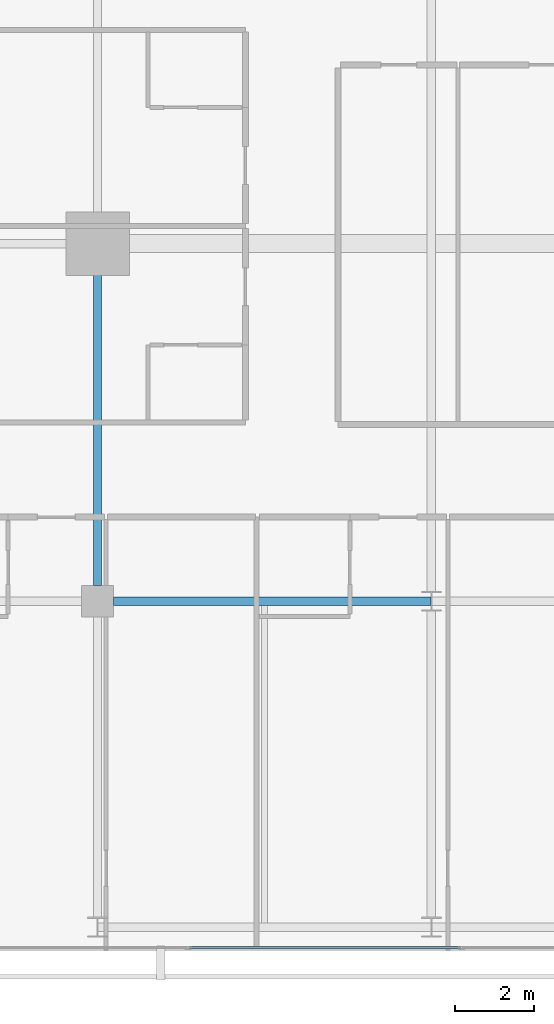
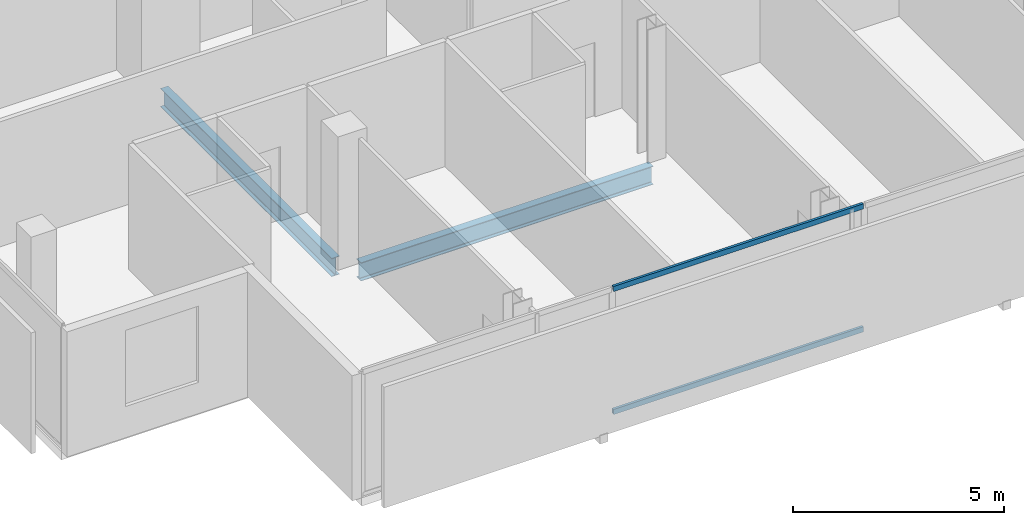
# One storey, part 5 of 26: 2 beams, 2 members, 1 element without a shape of its own.
"""IFC4 building model written with IfcOpenShell, lengths in metres."""

from ifc_helpers import new_model, si_unit, direction, frame, origin, origin_2d, place, context, subcontext, project, spatial, hollow_rectangle, i_section, extrude, material, layer, layer_set, material_profile, profile_set, type_object, element, aggregate, save


model = new_model("IFC4")

# Units and contexts
model_context = context("Model", 3, precision=1e-05, world=origin(), true_north=direction((0.0, 1.0)))
body_context = subcontext(model_context, "Body", "Model", "MODEL_VIEW")
ifc_project = project(units=[si_unit("LENGTHUNIT", "METRE"), si_unit("AREAUNIT", "SQUARE_METRE"), si_unit("VOLUMEUNIT", "CUBIC_METRE"), si_unit("PLANEANGLEUNIT", "RADIAN"), si_unit("MASSUNIT", "GRAM", prefix="KILO")], contexts=[model_context])

# Site, building, storey
site_placement = place(None, origin())
site = spatial("IfcSite", under=ifc_project, at=site_placement, CompositionType="ELEMENT")
building_placement = place(site_placement, origin())
building = spatial("IfcBuilding", under=site, at=building_placement, Name="Maruvema Waterfront Hotel and Observation Tower", CompositionType="ELEMENT")
storey_placement = place(building_placement, frame((0.0, 0.0, 254.800048828125)))
storey = spatial("IfcBuildingStorey", under=building, at=storey_placement, Name="L62", CompositionType="ELEMENT", Elevation=254.800048828125)

# Curtain wall, members
ifc_material_1 = material(Name="Anodised bronze aluminium and solar-control low-E IGU", Category="aluminium")
ifc_layer = layer(ifc_material_1, 0.159912109375, Name="Zone 3 Champagne Inner Thermal Curtain Wall System CW-04")
ifc_layer_set = layer_set([ifc_layer], Name="Anodised bronze aluminium and solar-control low-E IGU")
curtain_wall_type = type_object("IfcCurtainWallType", Name="Zone 3 Champagne Inner Thermal Curtain Wall System CW-04", PredefinedType="USERDEFINED", material=ifc_layer_set)
curtain_wall_placement = place(storey_placement, origin())
curtain_wall = element("IfcCurtainWall", 1, at=curtain_wall_placement, inside=storey, type_object=curtain_wall_type, Name="L62 Curtain Wall CW-L62-S", ObjectType="UNITISED CURTAIN WALL", PredefinedType="USERDEFINED")
ifc_material_2 = material(Name="Anodised architectural bronze aluminium", Category="aluminium")
ifc_material_profile_1 = material_profile(ifc_material_2, hollow_rectangle(XDim=0.070068359375, YDim=0.14990234375, WallThickness=0.00390625, at=origin_2d()), Name="ALU-T70x150")
ifc_profile_set_1 = profile_set([ifc_material_profile_1], Name="Anodised architectural bronze aluminium")
member_type = type_object("IfcMemberType", Name="Curtain Wall Horizontal Transom ALU-T70x150", PredefinedType="USERDEFINED", material=ifc_profile_set_1)
member_1_placement = place(storey_placement, frame((27.510009765625, 9.280029296875, 0.030029296875), z_axis=(1.0, 0.0, 0.0), x_axis=(0.0, 1.0, 0.0)))
member_1 = element("IfcMember", 2, at=member_1_placement, type_object=member_type, Name="CW-04 transom 2.1", ObjectType="TRANSOM", PredefinedType="USERDEFINED", context=body_context, shape_type="SweptSolid", body=[
    extrude(hollow_rectangle(XDim=0.070068359375, YDim=0.14990234375, WallThickness=0.00390625, at=origin_2d()), origin(), (0.0, 0.0, 1.0), 6.820068359375),
])
member_2_placement = place(storey_placement, frame((27.510009765625, 9.280029296875, 3.579833984375), z_axis=(1.0, 0.0, 0.0), x_axis=(0.0, 1.0, 0.0)))
member_2 = element("IfcMember", 3, at=member_2_placement, type_object=member_type, Name="CW-04 transom 2.2", ObjectType="TRANSOM", PredefinedType="USERDEFINED", context=body_context, shape_type="SweptSolid", body=[
    extrude(hollow_rectangle(XDim=0.070068359375, YDim=0.14990234375, WallThickness=0.00390625, at=origin_2d()), origin(), (0.0, 0.0, 1.0), 6.820068359375),
])
aggregate(curtain_wall, [member_1, member_2])

# Beams
ifc_material_3 = material(Name="Steel ASTM A572 Grade 50", Category="steel")
ifc_material_profile_2 = material_profile(ifc_material_3, i_section(OverallWidth=0.208984375, OverallDepth=0.532958984375, WebThickness=0.01025390625, FlangeThickness=0.015625, FilletRadius=0.014892578125, at=origin_2d()), Name="W530x92.0")
ifc_profile_set_2 = profile_set([ifc_material_profile_2], Name="Steel ASTM A572 Grade 50")
beam_type = type_object("IfcBeamType", Name="Primary Floor Girder W530x92.0", PredefinedType="BEAM", material=ifc_profile_set_2)
beam_1_placement = place(storey_placement, frame((25.60009765625, 18.0, -0.506591796875), z_axis=(1.0, 0.0, 0.0), x_axis=(0.0, 1.0, 0.0)))
element("IfcBeam", 4, at=beam_1_placement, inside=storey, type_object=beam_type, Name="L62 Floor Girder EW-05", PredefinedType="BEAM", context=body_context, shape_type="SweptSolid", body=[
    extrude(i_section(OverallWidth=0.208984375, OverallDepth=0.532958984375, WebThickness=0.01025390625, FlangeThickness=0.015625, FilletRadius=0.014892578125, at=origin_2d()), origin(), (0.0, 0.0, 1.0), 7.989013671875),
])
beam_2_placement = place(storey_placement, frame((25.199951171875, 18.39990234375, -0.506591796875), z_axis=(0.0, 1.0, 0.0), x_axis=(-1.0, 0.0, 0.0)))
element("IfcBeam", 5, at=beam_2_placement, inside=storey, type_object=beam_type, Name="L62 Floor Girder NS-05", PredefinedType="BEAM", context=body_context, shape_type="SweptSolid", body=[
    extrude(i_section(OverallWidth=0.208984375, OverallDepth=0.532958984375, WebThickness=0.01025390625, FlangeThickness=0.015625, FilletRadius=0.014892578125, at=origin_2d()), origin(), (0.0, 0.0, 1.0), 8.10009765625),
])

save(model, "model.ifc")
